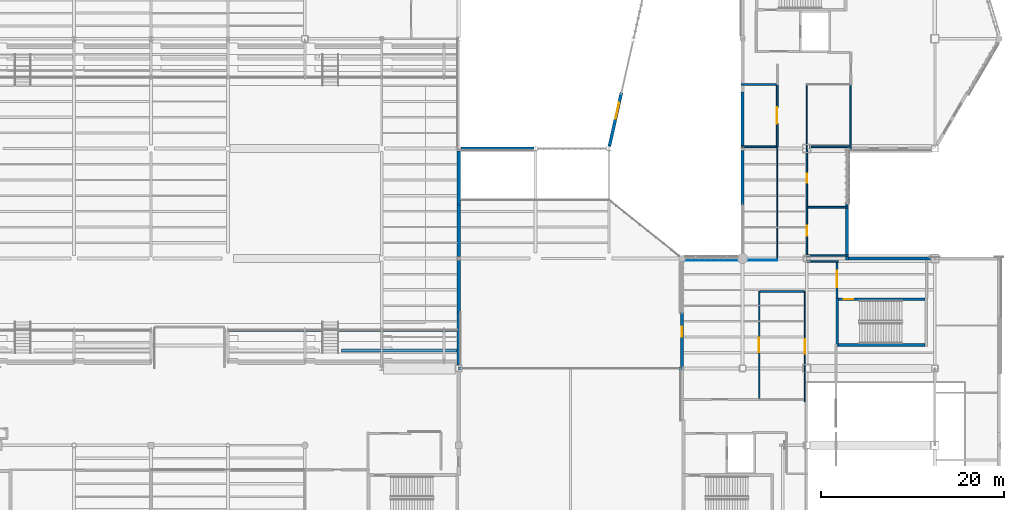
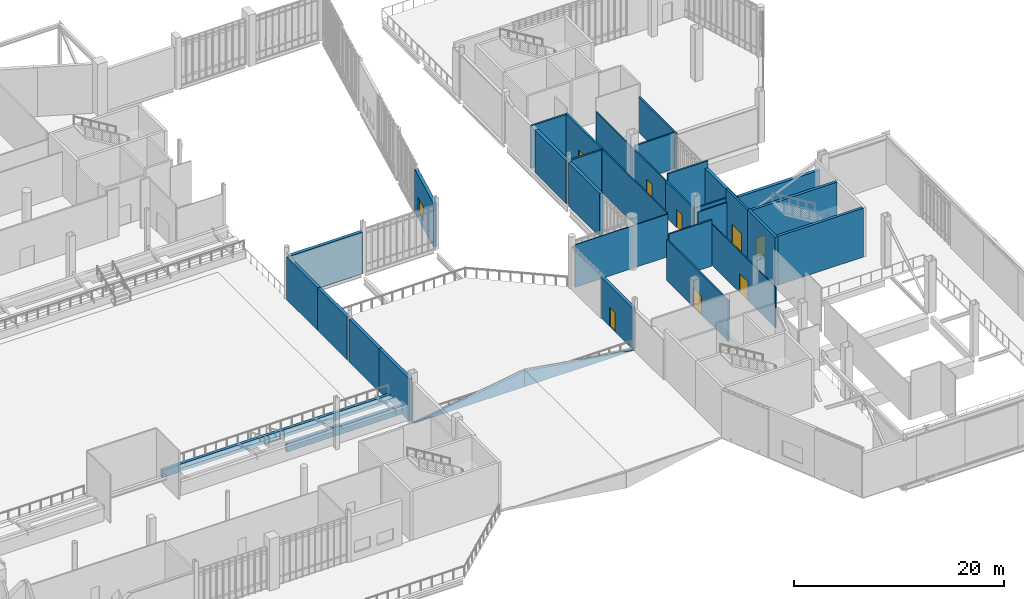
# One storey, part 109 of 135: 35 walls, 8 doors, 1 window, 9 openings.
"""IFC4 building model written with IfcOpenShell, lengths in metres."""

from ifc_helpers import new_model, si_unit, direction, frame, frame_2d, origin, place, context, subcontext, project, spatial, polyline, rectangle, outline, extrude, material, layer, layer_set, type_object, element, fill, save


model = new_model("IFC4")

# Units and contexts
model_context = context("Model", 3, precision=1e-05, world=origin(), true_north=direction((0.0, 1.0)))
body_context = subcontext(model_context, "Body", "Model", "MODEL_VIEW")
ifc_project = project(units=[si_unit("LENGTHUNIT", "METRE"), si_unit("AREAUNIT", "SQUARE_METRE"), si_unit("VOLUMEUNIT", "CUBIC_METRE"), si_unit("PLANEANGLEUNIT", "RADIAN"), si_unit("MASSUNIT", "GRAM", prefix="KILO")], contexts=[model_context])

# Site, building, storey
site_placement = place(None, origin())
site = spatial("IfcSite", under=ifc_project, at=site_placement, CompositionType="ELEMENT")
building_placement = place(site_placement, origin())
building = spatial("IfcBuilding", under=site, at=building_placement, Name="Larkvane Passage Sports Hall", CompositionType="ELEMENT")
storey_placement = place(building_placement, frame((0.0, 0.0, 10.800048828125)))
storey = spatial("IfcBuildingStorey", under=building, at=storey_placement, Name="L02", CompositionType="ELEMENT", Elevation=10.800048828125)

# Walls
ifc_material_1 = material(Name="Concrete C50/60", Category="concrete")
ifc_layer_1 = layer(ifc_material_1, 0.300048828125)
ifc_layer_set_1 = layer_set([ifc_layer_1], Name="Concrete C50/60")
wall_type_1 = type_object("IfcWallType", Name="WL-CORE-300", PredefinedType="SHEAR", material=ifc_layer_set_1)
wall_1_placement = place(storey_placement, frame((134.949951171875, 42.0, 0.0), z_axis=(0.0, 0.0, 1.0), x_axis=(0.0, 1.0, 0.0)))
element("IfcWall", 1, at=wall_1_placement, inside=storey, type_object=wall_type_1, Name="Core shear wall WAL-CORE-C7-L02-W", PredefinedType="SHEAR", context=body_context, shape_type="SweptSolid", body=[
    extrude(rectangle(XDim=5.300048828125, YDim=0.300048828125, at=frame_2d((2.64990234375, 0.0))), origin(), (0.0, 0.0, 1.0), 5.679931640625),
])
wall_2_placement = place(storey_placement, frame((144.5, 42.14990234375, 0.0), z_axis=(0.0, 0.0, 1.0), x_axis=(-1.0, 0.0, 0.0)))
element("IfcWall", 2, at=wall_2_placement, inside=storey, type_object=wall_type_1, Name="Core shear wall WAL-CORE-C7-L02-S", PredefinedType="SHEAR", context=body_context, shape_type="SweptSolid", body=[
    extrude(rectangle(XDim=9.39990234375, YDim=0.300048828125, at=frame_2d((4.699951171875, 0.0))), origin(), (0.0, 0.0, 1.0), 5.679931640625),
])

# Wall, opening, door
wall_3_placement = place(storey_placement, frame((135.10009765625, 47.14990234375, 0.0), z_axis=(0.0, 0.0, 1.0), x_axis=(1.0, 0.0, 0.0)))
wall_3 = element("IfcWall", 3, at=wall_3_placement, inside=storey, type_object=wall_type_1, Name="Core shear wall WAL-CORE-C7-L02-N", PredefinedType="SHEAR", context=body_context, shape_type="SweptSolid", body=[
    extrude(rectangle(XDim=9.39990234375, YDim=0.300048828125, at=frame_2d((4.699951171875, 0.0))), origin(), (0.0, 0.0, 1.0), 5.679931640625),
])
opening_1_placement = place(wall_3_placement, frame((0.550048828125, 0.0, 0.0)))
opening_1 = element("IfcOpeningElement", 4, at=opening_1_placement, cuts=wall_3, Name="Opening DF-01", PredefinedType="OPENING", context=body_context, shape_type="SweptSolid", body=[
    extrude(rectangle(XDim=1.050048828125, YDim=2.199951171875, at=frame_2d((0.52490234375, 1.10009765625))), frame((0.0, 0.159912109375, 0.0), z_axis=(0.0, -1.0, 0.0), x_axis=(1.0, 0.0, 0.0)), (0.0, 0.0, 1.0), 0.320068359375),
])
ifc_material_2 = material(Name="Steel S355JR smoke-sealed fire door", Category="steel")
door_type_1 = type_object("IfcDoorType", Name="DR-FIRE-1050", OperationType="NOTDEFINED", PredefinedType="DOOR", material=ifc_material_2)
door_1_placement = place(opening_1_placement, origin())
door_1 = element("IfcDoor", 5, at=door_1_placement, inside=storey, type_object=door_type_1, Name="Stair ST-07 L02 fire door", OperationType="SINGLE_SWING_LEFT", OverallHeight=2.199951171875, OverallWidth=1.050048828125, PredefinedType="DOOR", context=body_context, shape_type="SweptSolid", body=[
    extrude(rectangle(XDim=1.050048828125, YDim=2.199951171875, at=frame_2d((0.52490234375, 1.10009765625))), frame((0.0, 0.02490234375, 0.0), z_axis=(0.0, -1.0, 0.0), x_axis=(1.0, 0.0, 0.0)), (0.0, 0.0, 1.0), 0.050048828125),
])
fill(opening_1, door_1)

# Walls
ifc_material_3 = material(Name="Precast concrete C45/55", Category="concrete")
ifc_layer_2 = layer(ifc_material_3, 0.344970703125)
ifc_layer_set_2 = layer_set([ifc_layer_2], Name="Precast concrete C45/55")
wall_type_2 = type_object("IfcWallType", Name="WL-EXT-345", PredefinedType="SOLIDWALL", material=ifc_layer_set_2)
wall_4_placement = place(storey_placement, frame((124.60009765625, 63.79931640625, 0.0), z_axis=(0.0, 0.0, 1.0), x_axis=(0.0, 1.0, 0.0)))
element("IfcWall", 6, at=wall_4_placement, inside=storey, type_object=wall_type_2, Name="Exterior wall WAL-EXT-L02-110", PredefinedType="SOLIDWALL", context=body_context, shape_type="SweptSolid", body=[
    extrude(rectangle(XDim=5.96630859375, YDim=0.344970703125, at=frame_2d((2.983154296875, 0.0))), origin(), (0.0, 0.0, 1.0), 4.9560546875),
])
wall_5_placement = place(storey_placement, frame((136.0, 57.765625, 0.0), z_axis=(0.0, 0.0, 1.0), x_axis=(0.0, -1.0, 0.0)))
element("IfcWall", 7, at=wall_5_placement, inside=storey, type_object=wall_type_2, Name="Exterior wall WAL-EXT-L02-117", PredefinedType="SOLIDWALL", context=body_context, shape_type="SweptSolid", body=[
    extrude(rectangle(XDim=6.331298828125, YDim=0.344970703125, at=frame_2d((3.16552734375, 0.0))), origin(), (0.0, 0.0, 1.0), 4.14794921875),
])
wall_6_placement = place(storey_placement, frame((135.83447265625, 51.60009765625, 0.0), z_axis=(0.0, 0.0, 1.0), x_axis=(1.0, 0.0, 0.0)))
element("IfcWall", 8, at=wall_6_placement, inside=storey, type_object=wall_type_2, Name="Exterior wall WAL-EXT-L02-118", PredefinedType="SOLIDWALL", context=body_context, shape_type="SweptSolid", body=[
    extrude(rectangle(XDim=9.319580078125, YDim=0.344970703125, at=frame_2d((4.65966796875, 0.0))), origin(), (0.0, 0.0, 1.0), 4.14794921875),
])

# Wall, opening, door
wall_7_placement = place(storey_placement, frame((118.0, 39.7958984375, 0.0), z_axis=(0.0, 0.0, 1.0), x_axis=(0.0, 1.0, 0.0)))
wall_7 = element("IfcWall", 9, at=wall_7_placement, inside=storey, type_object=wall_type_2, Name="Exterior wall WAL-EXT-L02-133", PredefinedType="SOLIDWALL", context=body_context, shape_type="SweptSolid", body=[
    extrude(rectangle(XDim=5.9697265625, YDim=0.344970703125, at=frame_2d((2.98486328125, 0.0))), origin(), (0.0, 0.0, 1.0), 4.758056640625),
])
opening_2_placement = place(wall_7_placement, frame((3.25390625, 0.0, 0.0)))
opening_2 = element("IfcOpeningElement", 10, at=opening_2_placement, cuts=wall_7, Name="Opening DE-05", PredefinedType="OPENING", context=body_context, shape_type="SweptSolid", body=[
    extrude(rectangle(XDim=1.10009765625, YDim=2.199951171875, at=frame_2d((0.550048828125, 1.10009765625))), frame((0.0, 0.182373046875, 0.0), z_axis=(0.0, -1.0, 0.0), x_axis=(1.0, 0.0, 0.0)), (0.0, 0.0, 1.0), 0.364990234375),
])
ifc_material_4 = material(Name="Thermally broken aluminium glazed door", Category="aluminium")
door_type_2 = type_object("IfcDoorType", Name="DR-TER-1100", OperationType="NOTDEFINED", PredefinedType="DOOR", material=ifc_material_4)
door_2_placement = place(opening_2_placement, origin())
door_2 = element("IfcDoor", 11, at=door_2_placement, inside=storey, type_object=door_type_2, Name="Exterior door L02-037", OperationType="SINGLE_SWING_LEFT", OverallHeight=2.199951171875, OverallWidth=1.10009765625, PredefinedType="DOOR", context=body_context, shape_type="SweptSolid", body=[
    extrude(rectangle(XDim=1.10009765625, YDim=2.199951171875, at=frame_2d((0.550048828125, 1.10009765625))), frame((0.0, 0.02490234375, 0.0), z_axis=(0.0, -1.0, 0.0), x_axis=(1.0, 0.0, 0.0)), (0.0, 0.0, 1.0), 0.050048828125),
])
fill(opening_2, door_2)

# Wall
wall_8_placement = place(storey_placement, frame((124.60009765625, 57.434326171875, 0.0), z_axis=(0.0, 0.0, 1.0), x_axis=(0.0, 1.0, 0.0)))
element("IfcWall", 12, at=wall_8_placement, inside=storey, type_object=wall_type_2, Name="Exterior wall WAL-EXT-L02-134", PredefinedType="SOLIDWALL", context=body_context, shape_type="SweptSolid", body=[
    extrude(rectangle(XDim=5.966552734375, YDim=0.344970703125, at=frame_2d((2.9833984375, 0.0))), origin(), (0.0, 0.0, 1.0), 5.0478515625),
])

# Wall, opening, window
wall_9_placement = place(storey_placement, frame((111.3701171875, 69.69677734375, 0.0), z_axis=(0.0, 0.0, 1.0), x_axis=(-0.219262675362, -0.975665864522, 0.0)))
wall_9 = element("IfcWall", 13, at=wall_9_placement, inside=storey, type_object=wall_type_2, Name="Exterior wall WAL-EXT-L02-139", PredefinedType="SOLIDWALL", context=body_context, shape_type="SweptSolid", body=[
    extrude(rectangle(XDim=5.983642578125, YDim=0.344970703125, at=frame_2d((2.99169921875, 0.0))), origin(), (0.0, 0.0, 1.0), 5.06005859375),
])
opening_3_placement = place(wall_9_placement, frame((1.094970703125, 0.0, 0.89990234375)))
opening_3 = element("IfcOpeningElement", 14, at=opening_3_placement, cuts=wall_9, Name="Opening W-02", PredefinedType="OPENING", context=body_context, shape_type="SweptSolid", body=[
    extrude(rectangle(XDim=1.800048828125, YDim=1.60009765625, at=frame_2d((0.89990234375, 0.800048828125))), frame((0.0, 0.182373046875, 0.0), z_axis=(0.0, -1.0, 0.0), x_axis=(1.0, 0.0, 0.0)), (0.0, 0.0, 1.0), 0.364990234375),
])
ifc_material_5 = material(Name="Thermally broken aluminium and laminated low-E glass", Category="aluminium")
window_type = type_object("IfcWindowType", Name="WN-FIX-1800x1600", PartitioningType="SINGLE_PANEL", PredefinedType="WINDOW", material=ifc_material_5)
window_placement = place(opening_3_placement, origin())
window = element("IfcWindow", 15, at=window_placement, inside=storey, type_object=window_type, Name="Window L02-047", OverallHeight=1.60009765625, OverallWidth=1.800048828125, PartitioningType="SINGLE_PANEL", PredefinedType="WINDOW", context=body_context, shape_type="SweptSolid", body=[
    extrude(rectangle(XDim=1.800048828125, YDim=1.60009765625, at=frame_2d((0.89990234375, 0.800048828125))), frame((0.0, 0.030029296875, 0.0), z_axis=(0.0, -1.0, 0.0), x_axis=(1.0, 0.0, 0.0)), (0.0, 0.0, 1.0), 0.06005859375),
])
fill(opening_3, window)

# Walls
wall_10_placement = place(storey_placement, frame((101.801513671875, 63.60009765625, 0.0), z_axis=(0.0, 0.0, 1.0), x_axis=(-1.0, 0.0, 0.0)))
element("IfcWall", 16, at=wall_10_placement, inside=storey, type_object=wall_type_2, Name="Exterior wall WAL-EXT-L02-140", PredefinedType="SOLIDWALL", context=body_context, shape_type="SweptSolid", body=[
    extrude(rectangle(XDim=7.951416015625, YDim=0.344970703125, at=frame_2d((3.9755859375, 0.0))), origin(), (0.0, 0.0, 1.0), 4.85595703125),
])
wall_11_placement = place(storey_placement, frame((93.60009765625, 63.35009765625, 0.0), z_axis=(0.0, 0.0, 1.0), x_axis=(0.0, -1.0, 0.0)))
element("IfcWall", 17, at=wall_11_placement, inside=storey, type_object=wall_type_2, Name="Exterior wall WAL-EXT-L02-141", PredefinedType="SOLIDWALL", context=body_context, shape_type="SweptSolid", body=[
    extrude(rectangle(XDim=5.915771484375, YDim=0.344970703125, at=frame_2d((2.9580078125, 0.0))), origin(), (0.0, 0.0, 1.0), 4.947998046875),
])
wall_12_placement = place(storey_placement, frame((93.60009765625, 57.765625, 0.0), z_axis=(0.0, 0.0, 1.0), x_axis=(0.0, -1.0, 0.0)))
element("IfcWall", 18, at=wall_12_placement, inside=storey, type_object=wall_type_2, Name="Exterior wall WAL-EXT-L02-142", PredefinedType="SOLIDWALL", context=body_context, shape_type="SweptSolid", body=[
    extrude(rectangle(XDim=5.96630859375, YDim=0.344970703125, at=frame_2d((2.983154296875, 0.0))), origin(), (0.0, 0.0, 1.0), 4.947998046875),
])
wall_13_placement = place(storey_placement, frame((93.60009765625, 51.40087890625, 0.0), z_axis=(0.0, 0.0, 1.0), x_axis=(0.0, -1.0, 0.0)))
element("IfcWall", 19, at=wall_13_placement, inside=storey, type_object=wall_type_2, Name="Exterior wall WAL-EXT-L02-143", PredefinedType="SOLIDWALL", context=body_context, shape_type="SweptSolid", body=[
    extrude(rectangle(XDim=5.966552734375, YDim=0.344970703125, at=frame_2d((2.9833984375, 0.0))), origin(), (0.0, 0.0, 1.0), 4.9560546875),
])
wall_14_placement = place(storey_placement, frame((93.60009765625, 45.765625, 0.0), z_axis=(0.0, 0.0, 1.0), x_axis=(0.0, -1.0, 0.0)))
element("IfcWall", 20, at=wall_14_placement, inside=storey, type_object=wall_type_2, Name="Exterior wall WAL-EXT-L02-144", PredefinedType="SOLIDWALL", context=body_context, shape_type="SweptSolid", body=[
    extrude(rectangle(XDim=5.819580078125, YDim=0.344970703125, at=frame_2d((2.90966796875, 0.0))), origin(), (0.0, 0.0, 1.0), 4.9560546875),
])
ifc_layer_3 = layer(ifc_material_3, 0.260009765625)
ifc_layer_set_3 = layer_set([ifc_layer_3], Name="Precast concrete C45/55")
wall_type_3 = type_object("IfcWallType", Name="WL-GABLE-260", PredefinedType="SOLIDWALL", material=ifc_layer_set_3)
wall_15_placement = place(storey_placement, frame((105.800048828125, 39.60009765625, 0.0), z_axis=(0.0, 0.0, 1.0), x_axis=(-1.0, 0.0, 0.0)))
element("IfcWall", 21, at=wall_15_placement, inside=storey, type_object=wall_type_3, Name="Entrance foyer canopy gable WAL-GABLE-V5-NW", PredefinedType="SOLIDWALL", context=body_context, shape_type="SweptSolid", body=[
    extrude(outline(polyline([(0.0, 0.0), (12.199951171875, 0.0), (12.199951171875, 0.02001953125), (0.0, 1.820068359375), (0.0, 0.0)])), frame((0.0, 0.1298828125, 0.0), z_axis=(0.0, -1.0, 0.0), x_axis=(1.0, 0.0, 0.0)), (0.0, 0.0, 1.0), 0.260009765625),
])
wall_16_placement = place(storey_placement, frame((118.0, 39.60009765625, 0.0), z_axis=(0.0, 0.0, 1.0), x_axis=(-1.0, 0.0, 0.0)))
element("IfcWall", 22, at=wall_16_placement, inside=storey, type_object=wall_type_3, Name="Entrance foyer canopy gable WAL-GABLE-V5-NE", PredefinedType="SOLIDWALL", context=body_context, shape_type="SweptSolid", body=[
    extrude(outline(polyline([(0.0, 0.0), (12.199951171875, 0.0), (12.199951171875, 1.820068359375), (0.0, 0.02001953125), (0.0, 0.0)])), frame((0.0, 0.1298828125, 0.0), z_axis=(0.0, -1.0, 0.0), x_axis=(1.0, 0.0, 0.0)), (0.0, 0.0, 1.0), 0.260009765625),
])

# Wall, opening, door
ifc_material_6 = material(Name="Concrete C40/50", Category="concrete")
ifc_layer_4 = layer(ifc_material_6, 0.199951171875)
ifc_layer_set_4 = layer_set([ifc_layer_4], Name="Concrete C40/50")
wall_type_4 = type_object("IfcWallType", Name="WL-LOBBY-200", PredefinedType="SOLIDWALL", material=ifc_layer_set_4)
wall_17_placement = place(storey_placement, frame((134.89990234375, 47.300048828125, 0.0), z_axis=(0.0, 0.0, 1.0), x_axis=(0.0, 1.0, 0.0)))
wall_17 = element("IfcWall", 23, at=wall_17_placement, inside=storey, type_object=wall_type_4, Name="Protected stair lobby wall C7 L02", PredefinedType="SOLIDWALL", context=body_context, shape_type="SweptSolid", body=[
    extrude(rectangle(XDim=4.099853515625, YDim=0.199951171875, at=frame_2d((2.0498046875, 0.0))), origin(), (0.0, 0.0, 1.0), 5.64990234375),
])
opening_4_placement = place(wall_17_placement, frame((1.14990234375, 0.0, 0.0)))
opening_4 = element("IfcOpeningElement", 24, at=opening_4_placement, cuts=wall_17, Name="Opening DF-02", PredefinedType="OPENING", context=body_context, shape_type="SweptSolid", body=[
    extrude(rectangle(XDim=1.800048828125, YDim=2.199951171875, at=frame_2d((0.89990234375, 1.10009765625))), frame((0.0, 0.10986328125, 0.0), z_axis=(0.0, -1.0, 0.0), x_axis=(1.0, 0.0, 0.0)), (0.0, 0.0, 1.0), 0.219970703125),
])
ifc_material_7 = material(Name="Steel S355JR double smoke-sealed fire door", Category="steel")
door_type_3 = type_object("IfcDoorType", Name="DR-FIRE-1800", OperationType="DOUBLE_DOOR_SINGLE_SWING", PredefinedType="DOOR", material=ifc_material_7)
door_3_placement = place(opening_4_placement, origin())
door_3 = element("IfcDoor", 25, at=door_3_placement, inside=storey, type_object=door_type_3, Name="Lobby smoke door C7 L02", OperationType="DOUBLE_DOOR_SINGLE_SWING", OverallHeight=2.199951171875, OverallWidth=1.800048828125, PredefinedType="DOOR", context=body_context, shape_type="SweptSolid", body=[
    extrude(rectangle(XDim=1.800048828125, YDim=2.199951171875, at=frame_2d((0.89990234375, 1.10009765625))), frame((0.0, 0.02490234375, 0.0), z_axis=(0.0, -1.0, 0.0), x_axis=(1.0, 0.0, 0.0)), (0.0, 0.0, 1.0), 0.050048828125),
])
fill(opening_4, door_3)

wall_18_placement = place(storey_placement, frame((128.3798828125, 70.60009765625, 0.0), z_axis=(0.0, 0.0, 1.0), x_axis=(0.0, -1.0, 0.0)))
wall_18 = element("IfcWall", 26, at=wall_18_placement, inside=storey, type_object=wall_type_4, Name="Interior partition WAL-PART-L02-0238", PredefinedType="SOLIDWALL", context=body_context, shape_type="SweptSolid", body=[
    extrude(rectangle(XDim=6.800048828125, YDim=0.199951171875, at=frame_2d((3.39990234375, 0.0))), origin(), (0.0, 0.0, 1.0), 5.050048828125),
])
opening_5_placement = place(wall_18_placement, frame((2.5, 0.0, 0.0)))
opening_5 = element("IfcOpeningElement", 27, at=opening_5_placement, cuts=wall_18, Name="Opening DR-01", PredefinedType="OPENING", context=body_context, shape_type="SweptSolid", body=[
    extrude(rectangle(XDim=1.800048828125, YDim=2.300048828125, at=frame_2d((0.89990234375, 1.14990234375))), frame((0.0, 0.10986328125, 0.0), z_axis=(0.0, -1.0, 0.0), x_axis=(1.0, 0.0, 0.0)), (0.0, 0.0, 1.0), 0.219970703125),
])
ifc_material_8 = material(Name="Louvred acoustic steel S355JR plant door", Category="steel")
door_type_4 = type_object("IfcDoorType", Name="DR-PLANT-1800", OperationType="DOUBLE_DOOR_SINGLE_SWING", PredefinedType="DOOR", material=ifc_material_8)
door_4_placement = place(opening_5_placement, origin())
door_4 = element("IfcDoor", 28, at=door_4_placement, inside=storey, type_object=door_type_4, Name="Interior door L02-0078", OperationType="DOUBLE_DOOR_SINGLE_SWING", OverallHeight=2.300048828125, OverallWidth=1.800048828125, PredefinedType="DOOR", context=body_context, shape_type="SweptSolid", body=[
    extrude(rectangle(XDim=1.800048828125, YDim=2.300048828125, at=frame_2d((0.89990234375, 1.14990234375))), frame((0.0, 0.02490234375, 0.0), z_axis=(0.0, -1.0, 0.0), x_axis=(1.0, 0.0, 0.0)), (0.0, 0.0, 1.0), 0.050048828125),
])
fill(opening_5, door_4)

# Walls
for number, where, z_axis, x_axis, name in (
    (29, (128.260009765625, 63.800048828125, 0.0), (0.0, 0.0, 1.0), (-1.0, 0.0, 0.0), "Interior partition WAL-PART-L02-0239"),
    (30, (124.448486328125, 70.60009765625, 0.0), (0.0, 0.0, 1.0), (1.0, 0.0, 0.0), "Interior partition WAL-PART-L02-0240"),
):
    element("IfcWall", number, at=place(storey_placement, frame(where, z_axis=z_axis, x_axis=x_axis)), inside=storey, type_object=wall_type_4, Name=name, PredefinedType="SOLIDWALL", context=body_context, shape_type="SweptSolid", body=[
        extrude(rectangle(XDim=3.8115234375, YDim=0.199951171875, at=frame_2d((1.90576171875, 0.0))), origin(), (0.0, 0.0, 1.0), 4.9580078125),
    ])

# Wall, opening, door
ifc_material_9 = material(Name="Gypsum twin-stud acoustic partition")
ifc_layer_5 = layer(ifc_material_9, 0.10009765625)
ifc_layer_set_5 = layer_set([ifc_layer_5], Name="Gypsum twin-stud acoustic partition")
wall_type_5 = type_object("IfcWallType", Name="WL-PART-100", PredefinedType="PARTITIONING", material=ifc_layer_set_5)
wall_19_placement = place(storey_placement, frame((131.39990234375, 48.0, 0.0), z_axis=(0.0, 0.0, 1.0), x_axis=(0.0, -1.0, 0.0)))
wall_19 = element("IfcWall", 31, at=wall_19_placement, inside=storey, type_object=wall_type_5, Name="Interior partition WAL-PART-L02-0230", PredefinedType="PARTITIONING", context=body_context, shape_type="SweptSolid", body=[
    extrude(rectangle(XDim=12.02001953125, YDim=0.10009765625, at=frame_2d((6.010009765625, 0.0))), origin(), (0.0, 0.0, 1.0), 4.75),
])
opening_6_placement = place(wall_19_placement, frame((5.2099609375, 0.0, 0.0)))
opening_6 = element("IfcOpeningElement", 32, at=opening_6_placement, cuts=wall_19, Name="Opening DI-03", PredefinedType="OPENING", context=body_context, shape_type="SweptSolid", body=[
    extrude(rectangle(XDim=1.60009765625, YDim=2.199951171875, at=frame_2d((0.800048828125, 1.10009765625))), frame((0.0, 0.06005859375, 0.0), z_axis=(0.0, -1.0, 0.0), x_axis=(1.0, 0.0, 0.0)), (0.0, 0.0, 1.0), 0.1201171875),
])
ifc_material_10 = material(Name="Glazed aluminium studio double door", Category="aluminium")
door_type_5 = type_object("IfcDoorType", Name="DR-INT-1600", OperationType="DOUBLE_DOOR_SINGLE_SWING", PredefinedType="DOOR", material=ifc_material_10)
door_5_placement = place(opening_6_placement, origin())
door_5 = element("IfcDoor", 33, at=door_5_placement, inside=storey, type_object=door_type_5, Name="Interior door L02-0074", OperationType="DOUBLE_DOOR_SINGLE_SWING", OverallHeight=2.199951171875, OverallWidth=1.60009765625, PredefinedType="DOOR", context=body_context, shape_type="SweptSolid", body=[
    extrude(rectangle(XDim=1.60009765625, YDim=2.199951171875, at=frame_2d((0.800048828125, 1.10009765625))), frame((0.0, 0.02490234375, 0.0), z_axis=(0.0, -1.0, 0.0), x_axis=(1.0, 0.0, 0.0)), (0.0, 0.0, 1.0), 0.050048828125),
])
fill(opening_6, door_5)

# Walls
wall_20_placement = place(storey_placement, frame((118.23193359375, 51.39990234375, 0.0), z_axis=(0.0, 0.0, 1.0), x_axis=(1.0, 0.0, 0.0)))
element("IfcWall", 34, at=wall_20_placement, inside=storey, type_object=wall_type_5, Name="Interior partition WAL-PART-L02-0274", PredefinedType="PARTITIONING", context=body_context, shape_type="SweptSolid", body=[
    extrude(rectangle(XDim=10.16796875, YDim=0.10009765625, at=frame_2d((5.083984375, 0.0))), origin(), (0.0, 0.0, 1.0), 4.949951171875),
])
ifc_material_11 = material(Name="Gypsum twin-stud fire-rated partition")
ifc_layer_6 = layer(ifc_material_11, 0.125)
ifc_layer_set_6 = layer_set([ifc_layer_6], Name="Gypsum twin-stud fire-rated partition")
wall_type_6 = type_object("IfcWallType", Name="WL-PART-125", PredefinedType="PARTITIONING", material=ifc_layer_set_6)
wall_21_placement = place(storey_placement, frame((128.39990234375, 51.52001953125, 0.0), z_axis=(0.0, 0.0, 1.0), x_axis=(0.0, 1.0, 0.0)))
element("IfcWall", 35, at=wall_21_placement, inside=storey, type_object=wall_type_6, Name="Interior partition WAL-PART-L02-0275", PredefinedType="PARTITIONING", context=body_context, shape_type="SweptSolid", body=[
    extrude(rectangle(XDim=12.280029296875, YDim=0.125, at=frame_2d((6.14013671875, 0.0))), origin(), (0.0, 0.0, 1.0), 5.050048828125),
])
wall_22_placement = place(storey_placement, frame((131.60009765625, 70.47998046875, 0.0), z_axis=(0.0, 0.0, 1.0), x_axis=(0.0, -1.0, 0.0)))
element("IfcWall", 36, at=wall_22_placement, inside=storey, type_object=wall_type_6, Name="Interior partition WAL-PART-L02-0279", PredefinedType="PARTITIONING", context=body_context, shape_type="SweptSolid", body=[
    extrude(rectangle(XDim=7.0, YDim=0.125, at=frame_2d((3.5, 0.0))), origin(), (0.0, 0.0, 1.0), 4.14990234375),
])

# Wall, opening, door
ifc_material_12 = material(Name="Gypsum acoustic partition")
ifc_layer_7 = layer(ifc_material_12, 0.14990234375)
ifc_layer_set_7 = layer_set([ifc_layer_7], Name="Gypsum acoustic partition")
wall_type_7 = type_object("IfcWallType", Name="WL-PART-150", PredefinedType="PARTITIONING", material=ifc_layer_set_7)
wall_23_placement = place(storey_placement, frame((126.419921875, 36.320068359375, 0.0), z_axis=(0.0, 0.0, 1.0), x_axis=(0.0, 1.0, 0.0)))
wall_23 = element("IfcWall", 37, at=wall_23_placement, inside=storey, type_object=wall_type_7, Name="Interior partition WAL-PART-L02-0232", PredefinedType="PARTITIONING", context=body_context, shape_type="SweptSolid", body=[
    extrude(rectangle(XDim=11.679931640625, YDim=0.14990234375, at=frame_2d((5.83984375, 0.0))), origin(), (0.0, 0.0, 1.0), 4.75),
])
opening_7_placement = place(wall_23_placement, frame((5.0400390625, 0.0, 0.0)))
opening_7 = element("IfcOpeningElement", 38, at=opening_7_placement, cuts=wall_23, Name="Opening DI-03", PredefinedType="OPENING", context=body_context, shape_type="SweptSolid", body=[
    extrude(rectangle(XDim=1.60009765625, YDim=2.199951171875, at=frame_2d((0.800048828125, 1.10009765625))), frame((0.0, 0.0849609375, 0.0), z_axis=(0.0, -1.0, 0.0), x_axis=(1.0, 0.0, 0.0)), (0.0, 0.0, 1.0), 0.169921875),
])
door_6_placement = place(opening_7_placement, origin())
door_6 = element("IfcDoor", 39, at=door_6_placement, inside=storey, type_object=door_type_5, Name="Interior door L02-0075", OperationType="DOUBLE_DOOR_SINGLE_SWING", OverallHeight=2.199951171875, OverallWidth=1.60009765625, PredefinedType="DOOR", context=body_context, shape_type="SweptSolid", body=[
    extrude(rectangle(XDim=1.60009765625, YDim=2.199951171875, at=frame_2d((0.800048828125, 1.10009765625))), frame((0.0, 0.02490234375, 0.0), z_axis=(0.0, -1.0, 0.0), x_axis=(1.0, 0.0, 0.0)), (0.0, 0.0, 1.0), 0.050048828125),
])
fill(opening_7, door_6)

wall_24_placement = place(storey_placement, frame((131.6201171875, 57.219970703125, 0.0), z_axis=(0.0, 0.0, 1.0), x_axis=(0.0, 1.0, 0.0)))
wall_24 = element("IfcWall", 40, at=wall_24_placement, inside=storey, type_object=wall_type_7, Name="Interior partition WAL-PART-L02-0244", PredefinedType="PARTITIONING", context=body_context, shape_type="SweptSolid", body=[
    extrude(rectangle(XDim=6.256103515625, YDim=0.14990234375, at=frame_2d((3.1279296875, 0.0))), origin(), (0.0, 0.0, 1.0), 4.14990234375),
])
opening_8_placement = place(wall_24_placement, frame((2.6279296875, 0.0, 0.0)))
opening_8 = element("IfcOpeningElement", 41, at=opening_8_placement, cuts=wall_24, Name="Opening DI-01", PredefinedType="OPENING", context=body_context, shape_type="SweptSolid", body=[
    extrude(rectangle(XDim=1.0, YDim=2.14990234375, at=frame_2d((0.5, 1.074951171875))), frame((0.0, 0.0849609375, 0.0), z_axis=(0.0, -1.0, 0.0), x_axis=(1.0, 0.0, 0.0)), (0.0, 0.0, 1.0), 0.169921875),
])
ifc_material_13 = material(Name="Solid-core hardwood acoustic door", Category="wood")
door_type_6 = type_object("IfcDoorType", Name="DR-INT-1000", OperationType="NOTDEFINED", PredefinedType="DOOR", material=ifc_material_13)
door_7_placement = place(opening_8_placement, origin())
door_7 = element("IfcDoor", 42, at=door_7_placement, inside=storey, type_object=door_type_6, Name="Interior door L02-0079", OperationType="SINGLE_SWING_RIGHT", OverallHeight=2.14990234375, OverallWidth=1.0, PredefinedType="DOOR", context=body_context, shape_type="SweptSolid", body=[
    extrude(rectangle(XDim=1.0, YDim=2.14990234375, at=frame_2d((0.5, 1.074951171875))), frame((0.0, 0.02490234375, 0.0), z_axis=(0.0, -1.0, 0.0), x_axis=(1.0, 0.0, 0.0)), (0.0, 0.0, 1.0), 0.050048828125),
])
fill(opening_8, door_7)

# Walls
wall_25_placement = place(storey_placement, frame((131.60009765625, 51.260009765625, 0.0), z_axis=(0.0, 0.0, 1.0), x_axis=(1.0, 0.0, 0.0)))
element("IfcWall", 43, at=wall_25_placement, inside=storey, type_object=wall_type_7, Name="Interior partition WAL-PART-L02-0280", PredefinedType="PARTITIONING", context=body_context, shape_type="SweptSolid", body=[
    extrude(rectangle(XDim=3.4599609375, YDim=0.14990234375, at=frame_2d((1.72998046875, 0.0))), origin(), (0.0, 0.0, 1.0), 4.14990234375),
])
ifc_material_14 = material(Name="Gypsum high-bay court partition")
ifc_layer_8 = layer(ifc_material_14, 0.179931640625)
ifc_layer_set_8 = layer_set([ifc_layer_8], Name="Gypsum high-bay court partition")
wall_type_8 = type_object("IfcWallType", Name="WL-PART-180", PredefinedType="PARTITIONING", material=ifc_layer_set_8)
wall_26_placement = place(storey_placement, frame((126.5400390625, 48.0, 0.0), z_axis=(0.0, 0.0, 1.0), x_axis=(1.0, 0.0, 0.0)))
element("IfcWall", 44, at=wall_26_placement, inside=storey, type_object=wall_type_8, Name="Interior partition WAL-PART-L02-0233", PredefinedType="PARTITIONING", context=body_context, shape_type="SweptSolid", body=[
    extrude(rectangle(XDim=4.739990234375, YDim=0.179931640625, at=frame_2d((2.3701171875, 0.0))), origin(), (0.0, 0.0, 1.0), 5.349853515625),
])
wall_27_placement = place(storey_placement, frame((131.944091796875, 63.800048828125, 0.0), z_axis=(0.0, 0.0, 1.0), x_axis=(1.0, 0.0, 0.0)))
element("IfcWall", 45, at=wall_27_placement, inside=storey, type_object=wall_type_8, Name="Interior partition WAL-PART-L02-0245", PredefinedType="PARTITIONING", context=body_context, shape_type="SweptSolid", body=[
    extrude(rectangle(XDim=4.3359375, YDim=0.179931640625, at=frame_2d((2.16796875, 0.0))), origin(), (0.0, 0.0, 1.0), 4.14990234375),
])
ifc_material_15 = material(Name="Moisture-resistant shaftliner partition")
ifc_layer_9 = layer(ifc_material_15, 0.175048828125)
ifc_layer_set_9 = layer_set([ifc_layer_9], Name="Moisture-resistant shaftliner partition")
wall_type_9 = type_object("IfcWallType", Name="WL-PLUMB-175", PredefinedType="PLUMBINGWALL", material=ifc_layer_set_9)
wall_28_placement = place(storey_placement, frame((136.39990234375, 63.468505859375, 0.0), z_axis=(0.0, 0.0, 1.0), x_axis=(0.0, 1.0, 0.0)))
element("IfcWall", 46, at=wall_28_placement, inside=storey, type_object=wall_type_9, Name="Interior partition WAL-PART-L02-0236", PredefinedType="PLUMBINGWALL", context=body_context, shape_type="SweptSolid", body=[
    extrude(rectangle(XDim=7.111572265625, YDim=0.175048828125, at=frame_2d((3.5556640625, 0.0))), origin(), (0.0, 0.0, 1.0), 4.14990234375),
])
wall_29_placement = place(storey_placement, frame((136.151611328125, 51.93994140625, 0.0), z_axis=(0.0, 0.0, 1.0), x_axis=(-1.0, 0.0, 0.0)))
element("IfcWall", 47, at=wall_29_placement, inside=storey, type_object=wall_type_9, Name="Interior partition WAL-PART-L02-0241", PredefinedType="PLUMBINGWALL", context=body_context, shape_type="SweptSolid", body=[
    extrude(rectangle(XDim=4.531494140625, YDim=0.175048828125, at=frame_2d((2.265625, 0.0))), origin(), (0.0, 0.0, 1.0), 4.14990234375),
])

# Wall, opening, door
wall_30_placement = place(storey_placement, frame((131.6201171875, 52.06005859375, 0.0), z_axis=(0.0, 0.0, 1.0), x_axis=(0.0, 1.0, 0.0)))
wall_30 = element("IfcWall", 48, at=wall_30_placement, inside=storey, type_object=wall_type_9, Name="Interior partition WAL-PART-L02-0242", PredefinedType="PLUMBINGWALL", context=body_context, shape_type="SweptSolid", body=[
    extrude(rectangle(XDim=5.139892578125, YDim=0.175048828125, at=frame_2d((2.56982421875, 0.0))), origin(), (0.0, 0.0, 1.0), 4.14990234375),
])
opening_9_placement = place(wall_30_placement, frame((2.044921875, 0.0, 0.0)))
opening_9 = element("IfcOpeningElement", 49, at=opening_9_placement, cuts=wall_30, Name="Opening DI-04", PredefinedType="OPENING", context=body_context, shape_type="SweptSolid", body=[
    extrude(rectangle(XDim=1.050048828125, YDim=2.14990234375, at=frame_2d((0.52490234375, 1.074951171875))), frame((0.0, 0.097412109375, 0.0), z_axis=(0.0, -1.0, 0.0), x_axis=(1.0, 0.0, 0.0)), (0.0, 0.0, 1.0), 0.195068359375),
])
ifc_material_16 = material(Name="Accessible wide-leaf sanitary door")
door_type_7 = type_object("IfcDoorType", Name="DR-ACC-1050", OperationType="NOTDEFINED", PredefinedType="DOOR", material=ifc_material_16)
door_8_placement = place(opening_9_placement, origin())
door_8 = element("IfcDoor", 50, at=door_8_placement, inside=storey, type_object=door_type_7, Name="Interior door L02-0080", OperationType="SINGLE_SWING_LEFT", OverallHeight=2.14990234375, OverallWidth=1.050048828125, PredefinedType="DOOR", context=body_context, shape_type="SweptSolid", body=[
    extrude(rectangle(XDim=1.050048828125, YDim=2.14990234375, at=frame_2d((0.52490234375, 1.074951171875))), frame((0.0, 0.02490234375, 0.0), z_axis=(0.0, -1.0, 0.0), x_axis=(1.0, 0.0, 0.0)), (0.0, 0.0, 1.0), 0.050048828125),
])
fill(opening_9, door_8)

# Walls
wall_31_placement = place(storey_placement, frame((131.739990234375, 57.199951171875, 0.0), z_axis=(0.0, 0.0, 1.0), x_axis=(1.0, 0.0, 0.0)))
element("IfcWall", 51, at=wall_31_placement, inside=storey, type_object=wall_type_9, Name="Interior partition WAL-PART-L02-0243", PredefinedType="PLUMBINGWALL", context=body_context, shape_type="SweptSolid", body=[
    extrude(rectangle(XDim=4.41162109375, YDim=0.175048828125, at=frame_2d((2.205810546875, 0.0))), origin(), (0.0, 0.0, 1.0), 4.949951171875),
])
ifc_layer_10 = layer(ifc_material_6, 0.320068359375)
ifc_layer_set_10 = layer_set([ifc_layer_10], Name="Concrete C40/50")
wall_type_10 = type_object("IfcWallType", Name="WL-STAND-320", PredefinedType="SOLIDWALL", material=ifc_layer_set_10)
wall_32_placement = place(storey_placement, frame((80.800048828125, 41.550048828125, 0.0), z_axis=(0.0, 0.0, 1.0), x_axis=(1.0, 0.0, 0.0)))
element("IfcWall", 52, at=wall_32_placement, inside=storey, type_object=wall_type_10, Name="Arena stand middle riser wall S-E2", PredefinedType="SOLIDWALL", context=body_context, shape_type="SweptSolid", body=[
    extrude(rectangle(XDim=12.800048828125, YDim=0.320068359375, at=frame_2d((6.39990234375, 0.0))), origin(), (0.0, 0.0, 1.0), 1.06494140625),
])
wall_33_placement = place(storey_placement, frame((68.39990234375, 43.800048828125, 0.0), z_axis=(0.0, 0.0, 1.0), x_axis=(1.0, 0.0, 0.0)))
element("IfcWall", 53, at=wall_33_placement, inside=storey, type_object=wall_type_10, Name="Arena stand front riser wall S-E", PredefinedType="SOLIDWALL", context=body_context, shape_type="SweptSolid", body=[
    extrude(rectangle(XDim=25.2001953125, YDim=0.320068359375, at=frame_2d((12.60009765625, 0.0))), origin(), (0.0, 0.0, 1.0), 0.8798828125),
])

save(model, "model.ifc")
